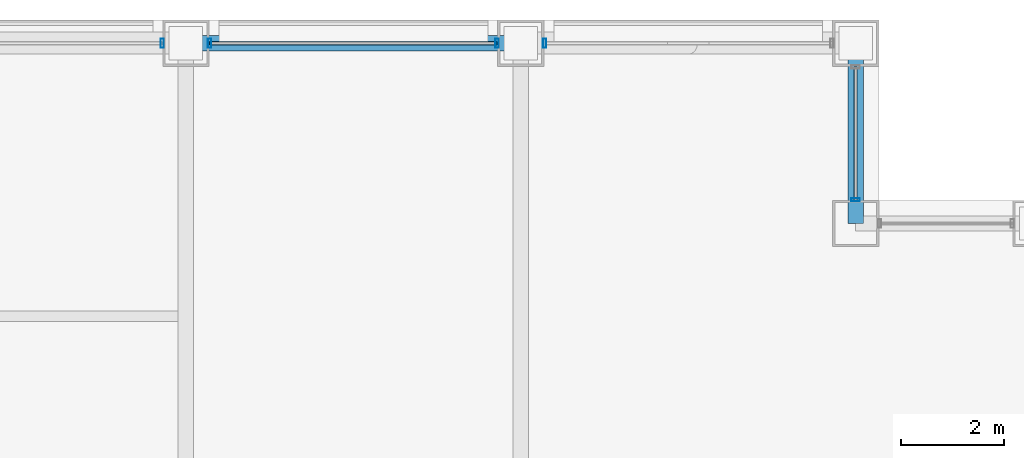
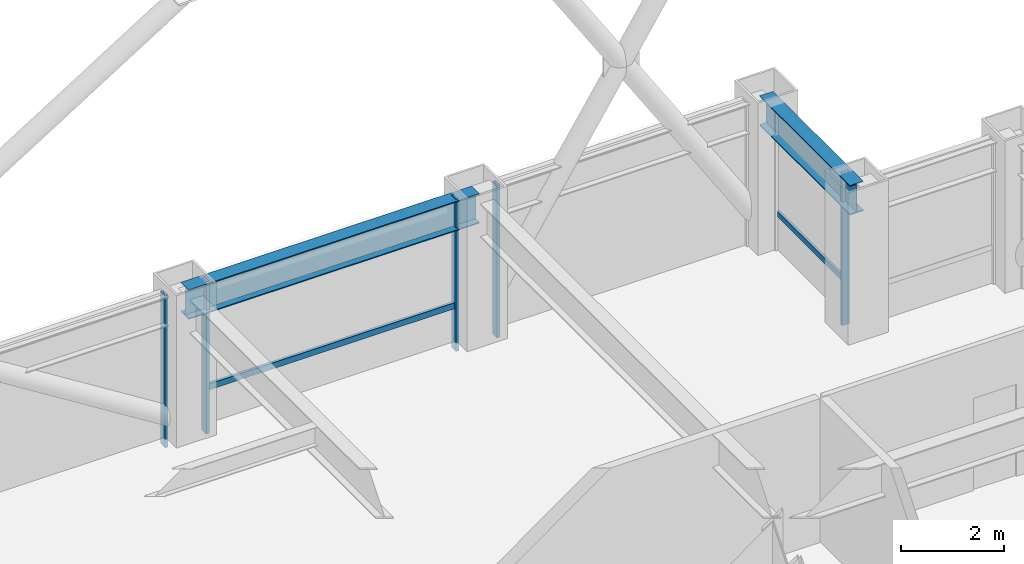
# One storey, part 20 of 30: 7 members, 2 beams, 4 elements without a shape of their own.
"""IFC4 building model written with IfcOpenShell, lengths in metres."""

from ifc_helpers import new_model, si_unit, direction, frame, origin, origin_2d, place, context, subcontext, project, spatial, hollow_rectangle, i_section, extrude, material, layer, layer_set, material_profile, profile_set, type_object, element, aggregate, save


model = new_model("IFC4")

# Units and contexts
model_context = context("Model", 3, precision=1e-05, world=origin(), true_north=direction((0.0, 1.0)))
body_context = subcontext(model_context, "Body", "Model", "MODEL_VIEW")
ifc_project = project(units=[si_unit("LENGTHUNIT", "METRE"), si_unit("AREAUNIT", "SQUARE_METRE"), si_unit("VOLUMEUNIT", "CUBIC_METRE"), si_unit("PLANEANGLEUNIT", "RADIAN"), si_unit("MASSUNIT", "GRAM", prefix="KILO")], contexts=[model_context])

# Site, building, storey
site_placement = place(None, origin())
site = spatial("IfcSite", under=ifc_project, at=site_placement, CompositionType="ELEMENT")
building_placement = place(site_placement, origin())
building = spatial("IfcBuilding", under=site, at=building_placement, Name="Brelmoor Portico Tower", CompositionType="ELEMENT")
storey_placement = place(building_placement, frame((0.0, 0.0, 56.39990234375)))
storey = spatial("IfcBuildingStorey", under=building, at=storey_placement, Name="L14", CompositionType="ELEMENT", Elevation=56.39990234375)

# Beams
ifc_material_1 = material(Name="Steel Q355B", Category="steel")
ifc_material_profile_1 = material_profile(ifc_material_1, i_section(OverallWidth=0.300048828125, OverallDepth=0.699951171875, WebThickness=0.012939453125, FlangeThickness=0.02392578125, at=origin_2d()), Name="HN 700x300x13x24")
ifc_profile_set_1 = profile_set([ifc_material_profile_1], Name="Steel Q355B")
beam_type = type_object("IfcBeamType", Name="BM-SP-700", PredefinedType="SPANDREL", material=ifc_profile_set_1)
beam_1_placement = place(storey_placement, frame((8.050048828125, 21.550048828125, 3.050048828125), z_axis=(1.0, 0.0, 0.0), x_axis=(0.0, 1.0, 0.0)))
element("IfcBeam", 1, at=beam_1_placement, inside=storey, type_object=beam_type, Name="L14 Perimeter Spandrel Beam SP-13", PredefinedType="SPANDREL", context=body_context, shape_type="SweptSolid", body=[
    extrude(i_section(OverallWidth=0.300048828125, OverallDepth=0.699951171875, WebThickness=0.012939453125, FlangeThickness=0.02392578125, at=origin_2d()), origin(), (0.0, 0.0, 1.0), 6.5),
])
beam_2_placement = place(storey_placement, frame((21.050048828125, 18.050048828125, 3.050048828125), z_axis=(0.0, 1.0, 0.0), x_axis=(-1.0, 0.0, 0.0)))
element("IfcBeam", 2, at=beam_2_placement, inside=storey, type_object=beam_type, Name="L14 Perimeter Spandrel Beam SP-21", PredefinedType="SPANDREL", context=body_context, shape_type="SweptSolid", body=[
    extrude(i_section(OverallWidth=0.300048828125, OverallDepth=0.699951171875, WebThickness=0.012939453125, FlangeThickness=0.02392578125, at=origin_2d()), origin(), (0.0, 0.0, 1.0), 3.5),
])

# Curtain wall, member
ifc_material_2 = material(Name="Anodised Aluminium Alloy 6063-T6", Category="aluminium")
ifc_layer_1 = layer(ifc_material_2, 0.179931640625)
ifc_layer_set_1 = layer_set([ifc_layer_1], Name="Anodised Aluminium Alloy 6063-T6")
curtain_wall_type_1 = type_object("IfcCurtainWallType", Name="CW-NOTCH-CHAMFER", PredefinedType="NOTDEFINED", material=ifc_layer_set_1)
curtain_wall_1_placement = place(storey_placement, origin())
curtain_wall_1 = element("IfcCurtainWall", 3, at=curtain_wall_1_placement, inside=storey, type_object=curtain_wall_type_1, Name="L14 Curtain Wall CWN-L14-NEV", PredefinedType="NOTDEFINED")
ifc_material_profile_2 = material_profile(ifc_material_2, hollow_rectangle(XDim=0.06494140625, YDim=0.1650390625, WallThickness=0.00390625, at=origin_2d()), Name="ALU MULLION 65x165")
ifc_profile_set_2 = profile_set([ifc_material_profile_2], Name="Anodised Aluminium Alloy 6063-T6")
member_type_1 = type_object("IfcMemberType", Name="MB-CW-MULL-165", PredefinedType="MULLION", material=ifc_profile_set_2)
member_1_placement = place(storey_placement, frame((21.050048828125, 18.510009765625, -0.199951171875), z_axis=(0.0, 0.0, 1.0), x_axis=(0.0, 1.0, 0.0)))
member_1 = element("IfcMember", 4, at=member_1_placement, type_object=member_type_1, Name="CWN-L14-NEV Mullion 00", PredefinedType="MULLION", context=body_context, shape_type="SweptSolid", body=[
    extrude(hollow_rectangle(XDim=0.06494140625, YDim=0.1650390625, WallThickness=0.00390625, at=origin_2d()), origin(), (0.0, 0.0, 1.0), 3.60009765625),
])

ifc_layer_2 = layer(ifc_material_2, 0.179931640625)
ifc_layer_set_2 = layer_set([ifc_layer_2], Name="Anodised Aluminium Alloy 6063-T6")
curtain_wall_type_2 = type_object("IfcCurtainWallType", Name="CW-TOWER-Z1-XB", PredefinedType="NOTDEFINED", material=ifc_layer_set_2)
curtain_wall_2_placement = place(storey_placement, origin())
curtain_wall_2 = element("IfcCurtainWall", 5, at=curtain_wall_2_placement, inside=storey, type_object=curtain_wall_type_2, Name="L14 Curtain Wall CW-L14-02-3", PredefinedType="NOTDEFINED")
ifc_material_profile_3 = material_profile(ifc_material_2, hollow_rectangle(XDim=0.06494140625, YDim=0.179931640625, WallThickness=0.00390625, at=origin_2d()), Name="ALU MULLION 65x180")
ifc_profile_set_3 = profile_set([ifc_material_profile_3], Name="Anodised Aluminium Alloy 6063-T6")
member_type_2 = type_object("IfcMemberType", Name="MB-CW-MULL-180", PredefinedType="MULLION", material=ifc_profile_set_3)
member_2_placement = place(storey_placement, frame((7.590087890625, 21.550048828125, -0.199951171875), z_axis=(0.0, 0.0, 1.0), x_axis=(1.0, 0.0, 0.0)))
member_2 = element("IfcMember", 6, at=member_2_placement, type_object=member_type_2, Name="CW-L14-02-3 Mullion 01", PredefinedType="MULLION", context=body_context, shape_type="SweptSolid", body=[
    extrude(hollow_rectangle(XDim=0.06494140625, YDim=0.179931640625, WallThickness=0.00390625, at=origin_2d()), origin(), (0.0, 0.0, 1.0), 3.60009765625),
])
aggregate(curtain_wall_2, [member_2])

# Curtain wall, members
ifc_layer_3 = layer(ifc_material_2, 0.179931640625)
ifc_layer_set_3 = layer_set([ifc_layer_3], Name="Anodised Aluminium Alloy 6063-T6")
curtain_wall_type_3 = type_object("IfcCurtainWallType", Name="CW-TOWER-Z1", PredefinedType="NOTDEFINED", material=ifc_layer_set_3)
curtain_wall_3_placement = place(storey_placement, origin())
curtain_wall_3 = element("IfcCurtainWall", 7, at=curtain_wall_3_placement, inside=storey, type_object=curtain_wall_type_3, Name="L14 Curtain Wall CW-L14-02-4", PredefinedType="NOTDEFINED")
member_3_placement = place(storey_placement, frame((8.510009765625, 21.550048828125, -0.199951171875), z_axis=(0.0, 0.0, 1.0), x_axis=(1.0, 0.0, 0.0)))
member_3 = element("IfcMember", 8, at=member_3_placement, type_object=member_type_2, Name="CW-L14-02-4 Mullion 00", PredefinedType="MULLION", context=body_context, shape_type="SweptSolid", body=[
    extrude(hollow_rectangle(XDim=0.06494140625, YDim=0.179931640625, WallThickness=0.00390625, at=origin_2d()), origin(), (0.0, 0.0, 1.0), 3.60009765625),
])
member_4_placement = place(storey_placement, frame((14.090087890625, 21.550048828125, -0.199951171875), z_axis=(0.0, 0.0, 1.0), x_axis=(1.0, 0.0, 0.0)))
member_4 = element("IfcMember", 9, at=member_4_placement, type_object=member_type_2, Name="CW-L14-02-4 Mullion 01", PredefinedType="MULLION", context=body_context, shape_type="SweptSolid", body=[
    extrude(hollow_rectangle(XDim=0.06494140625, YDim=0.179931640625, WallThickness=0.00390625, at=origin_2d()), origin(), (0.0, 0.0, 1.0), 3.60009765625),
])

# Curtain wall, member
curtain_wall_4_placement = place(storey_placement, origin())
curtain_wall_4 = element("IfcCurtainWall", 10, at=curtain_wall_4_placement, inside=storey, type_object=curtain_wall_type_2, Name="L14 Curtain Wall CW-L14-02-5", PredefinedType="NOTDEFINED")
member_5_placement = place(storey_placement, frame((15.010009765625, 21.550048828125, -0.199951171875), z_axis=(0.0, 0.0, 1.0), x_axis=(1.0, 0.0, 0.0)))
member_5 = element("IfcMember", 11, at=member_5_placement, type_object=member_type_2, Name="CW-L14-02-5 Mullion 00", PredefinedType="MULLION", context=body_context, shape_type="SweptSolid", body=[
    extrude(hollow_rectangle(XDim=0.06494140625, YDim=0.179931640625, WallThickness=0.00390625, at=origin_2d()), origin(), (0.0, 0.0, 1.0), 3.60009765625),
])
aggregate(curtain_wall_4, [member_5])

# Member
ifc_material_profile_4 = material_profile(ifc_material_2, hollow_rectangle(XDim=0.06005859375, YDim=0.125, WallThickness=0.00341796875, at=origin_2d()), Name="ALU TRANSOM 60x125")
ifc_profile_set_4 = profile_set([ifc_material_profile_4], Name="Anodised Aluminium Alloy 6063-T6")
member_type_3 = type_object("IfcMemberType", Name="MB-CW-TRAN-125", PredefinedType="USERDEFINED", material=ifc_profile_set_4)
member_6_placement = place(storey_placement, frame((21.050048828125, 18.510009765625, 0.85009765625), z_axis=(0.0, 1.0, 0.0), x_axis=(-1.0, 0.0, 0.0)))
member_6 = element("IfcMember", 12, at=member_6_placement, type_object=member_type_3, Name="CWN-L14-NEV Transom 1-00", ObjectType="TRANSOM", PredefinedType="USERDEFINED", context=body_context, shape_type="SweptSolid", body=[
    extrude(hollow_rectangle(XDim=0.06005859375, YDim=0.125, WallThickness=0.00341796875, at=origin_2d()), origin(), (0.0, 0.0, 1.0), 2.580078125),
])

aggregate(curtain_wall_1, [member_1, member_6])

ifc_material_profile_5 = material_profile(ifc_material_2, hollow_rectangle(XDim=0.06494140625, YDim=0.139892578125, WallThickness=0.00390625, at=origin_2d()), Name="ALU TRANSOM 65x140")
ifc_profile_set_5 = profile_set([ifc_material_profile_5], Name="Anodised Aluminium Alloy 6063-T6")
member_type_4 = type_object("IfcMemberType", Name="MB-CW-TRAN-140", PredefinedType="USERDEFINED", material=ifc_profile_set_5)
member_7_placement = place(storey_placement, frame((8.510009765625, 21.550048828125, 0.85009765625), z_axis=(1.0, 0.0, 0.0), x_axis=(0.0, 1.0, 0.0)))
member_7 = element("IfcMember", 13, at=member_7_placement, type_object=member_type_4, Name="CW-L14-02-4 Transom 1-00", ObjectType="TRANSOM", PredefinedType="USERDEFINED", context=body_context, shape_type="SweptSolid", body=[
    extrude(hollow_rectangle(XDim=0.06494140625, YDim=0.139892578125, WallThickness=0.00390625, at=origin_2d()), origin(), (0.0, 0.0, 1.0), 5.580078125),
])

aggregate(curtain_wall_3, [member_3, member_4, member_7])

save(model, "model.ifc")
